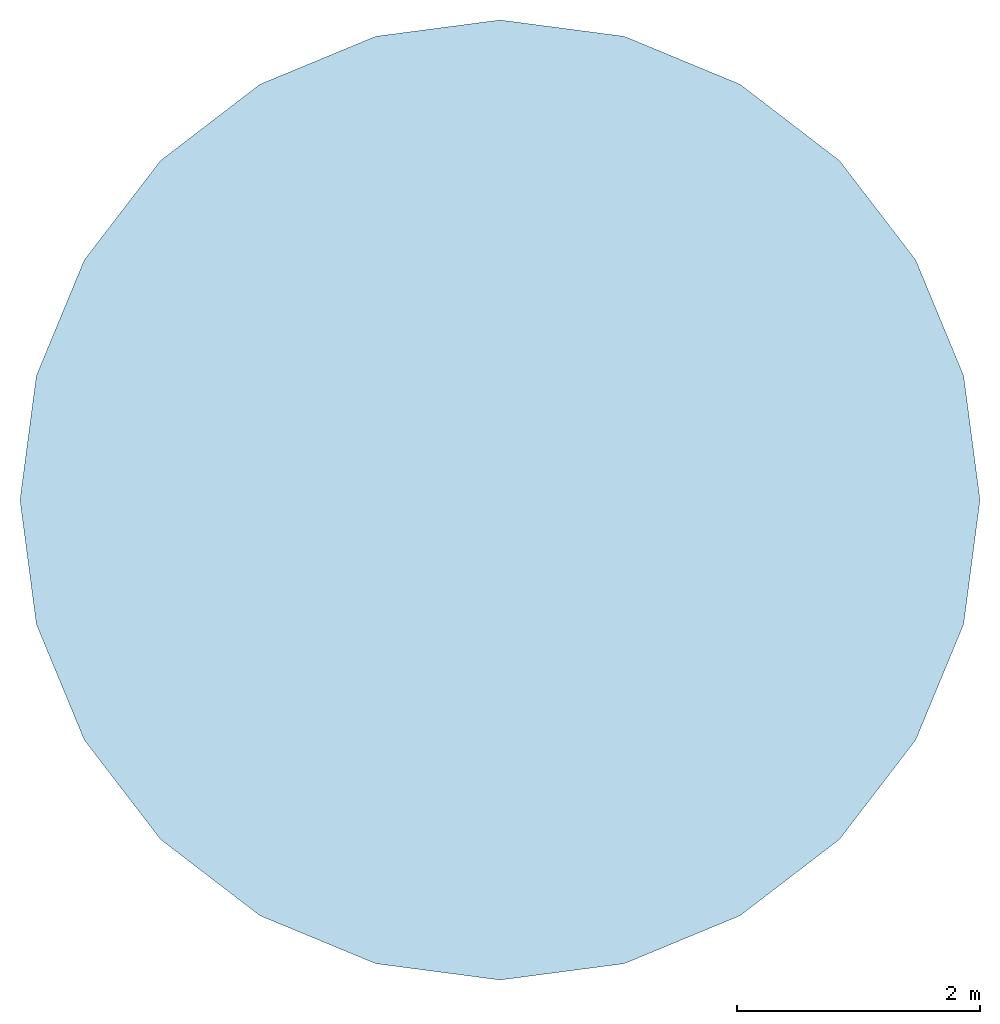
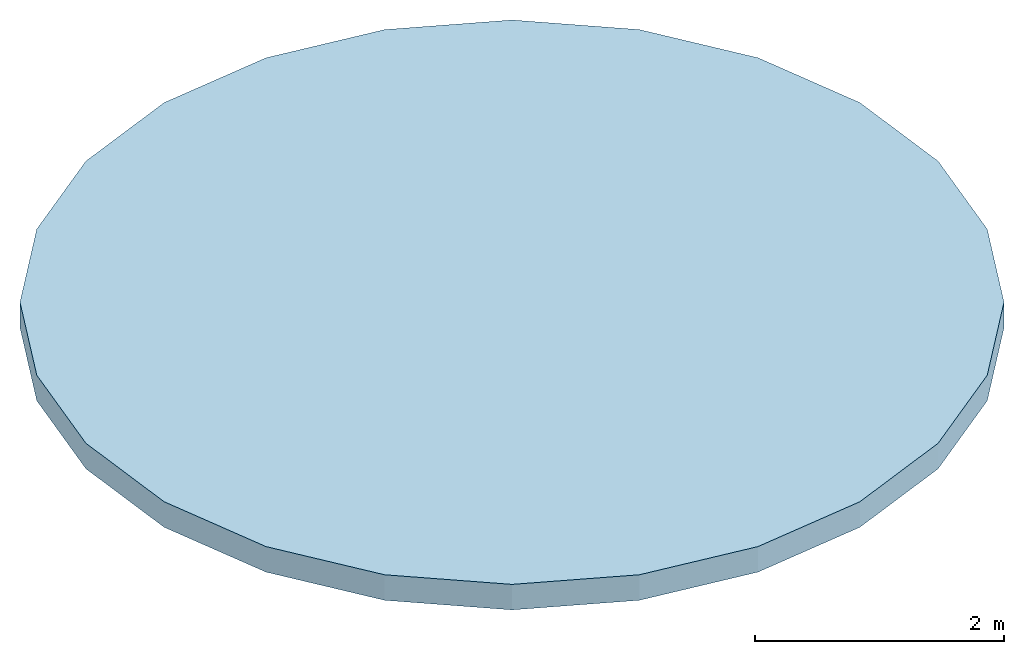
# One storey: 1 slab.
"""IFC4 building model written with IfcOpenShell, lengths in metres."""

import ifcopenshell
import ifcopenshell.guid

model = None  # the IFC model being written
_history = None  # IfcOwnerHistory: only IFC2X3 demands one
_inside = {}  # id of a spatial element -> (the spatial element, [elements in it])
_under = {}  # id of a project, library or spatial element -> (it, [spatial elements below it])
_declared = {}  # id of a project -> (the project, [libraries it declares])
_typed = {}  # id of a type object -> (the type object, [elements of that type])
_made_of = {}  # id of a material, layer set ... -> (it, [elements and type objects made of it])


def new_model(schema):
    """Start an empty IFC model of exactly this schema.

    Asked for "IFC4X3", IfcOpenShell would pick the latest addendum, in which some entities
    have other attributes; the version numbers below select the first issue.
    IFC2X3 requires an IfcOwnerHistory on every rooted entity: one is made here for all.
    """
    global model, _history
    if schema == "IFC4X3":
        model = ifcopenshell.file(schema_version=(4, 3, 0, 0))
    else:
        model = ifcopenshell.file(schema=schema)
    _inside.clear()
    _under.clear()
    _declared.clear()
    _typed.clear()
    _made_of.clear()
    _history = None
    if model.schema == "IFC2X3":
        org = make("IfcOrganization", Name="unknown")
        user = make(
            "IfcPersonAndOrganization",
            ThePerson=make("IfcPerson", FamilyName="unknown"),
            TheOrganization=org,
        )
        app = make(
            "IfcApplication",
            ApplicationDeveloper=org,
            Version="unknown",
            ApplicationFullName="unknown",
            ApplicationIdentifier="unknown",
        )
        _history = make(
            "IfcOwnerHistory",
            OwningUser=user,
            OwningApplication=app,
            ChangeAction="ADDED",
            CreationDate=0,
        )
    return model


def make(cls, **values):
    """One entity of the class cls with the attributes given. An attribute that is None is left unset."""
    return model.create_entity(
        cls, **{name: value for name, value in values.items() if value is not None}
    )


def rooted(cls, **values):
    """An entity with a GlobalId (a new one), such as an element, a storey or a relation."""
    return make(cls, GlobalId=ifcopenshell.guid.new(), OwnerHistory=_history, **values)


def si_unit(unit_type, name, prefix=None):
    """IfcSIUnit, for example si_unit("LENGTHUNIT", "METRE", prefix="MILLI")."""
    return make("IfcSIUnit", UnitType=unit_type, Prefix=prefix, Name=name)


def assignment(units):
    """IfcUnitAssignment: the units of a project."""
    return None if units is None else make("IfcUnitAssignment", Units=units)


def point(xyz):
    """IfcCartesianPoint."""
    return None if xyz is None else make("IfcCartesianPoint", Coordinates=xyz)


def direction(xyz):
    """IfcDirection."""
    return None if xyz is None else make("IfcDirection", DirectionRatios=xyz)


def frame(location, z_axis=None, x_axis=None):
    """IfcAxis2Placement3D, a coordinate frame: its origin and axes. An axis left out is left unset."""
    return make(
        "IfcAxis2Placement3D",
        Location=point(location),
        Axis=direction(z_axis),
        RefDirection=direction(x_axis),
    )


def origin():
    """The frame at (0, 0, 0) with its axes left unset."""
    return frame((0.0, 0.0, 0.0))


def place(relative_to, where):
    """IfcLocalPlacement: puts the frame where relative to a parent placement (None: the world)."""
    return make(
        "IfcLocalPlacement", PlacementRelTo=relative_to, RelativePlacement=where
    )


def context(
    kind, dimensions, precision=None, world=None, true_north=None, identifier=None
):
    """IfcGeometricRepresentationContext, for example the 3D "Model" context."""
    return make(
        "IfcGeometricRepresentationContext",
        ContextIdentifier=identifier,
        ContextType=kind,
        CoordinateSpaceDimension=dimensions,
        Precision=precision,
        WorldCoordinateSystem=world,
        TrueNorth=true_north,
    )


def subcontext(parent, identifier, kind, view, scale=None):
    """IfcGeometricRepresentationSubContext, for example "Body" below "Model"."""
    return make(
        "IfcGeometricRepresentationSubContext",
        ContextIdentifier=identifier,
        ContextType=kind,
        ParentContext=parent,
        TargetScale=scale,
        TargetView=view,
    )


def project(units=None, contexts=None):
    """IfcProject with its units and contexts."""
    return rooted(
        "IfcProject",
        Name="project",
        RepresentationContexts=contexts,
        UnitsInContext=assignment(units),
    )


def spatial(cls, under=None, at=None, **own):
    """A site, building, storey or space (cls), placed at a placement, below another one or the project."""
    s = rooted(cls, ObjectPlacement=at, **own)
    if under is not None:
        _under.setdefault(under.id(), (under, []))[1].append(s)
    return s


def point_list(points):
    """IfcCartesianPointList2D or 3D."""
    cls = (
        "IfcCartesianPointList2D" if len(points[0]) == 2 else "IfcCartesianPointList3D"
    )
    return make(cls, CoordList=points)


def line(*indices):
    """IfcLineIndex: a straight run through numbered points of an indexed curve."""
    return model.create_entity("IfcLineIndex", indices)


def indexed_curve(points, segments=None, self_intersect=None):
    """IfcIndexedPolyCurve: lines and arcs through numbered points (the first is 1)."""
    return make(
        "IfcIndexedPolyCurve",
        Points=point_list(points),
        Segments=segments,
        SelfIntersect=self_intersect,
    )


def outline(outer, holes=None, kind="AREA"):
    """IfcArbitraryClosedProfileDef: a profile drawn as a closed curve; with holes, ...WithVoids."""
    if holes is None:
        return make("IfcArbitraryClosedProfileDef", ProfileType=kind, OuterCurve=outer)
    return make(
        "IfcArbitraryProfileDefWithVoids",
        ProfileType=kind,
        OuterCurve=outer,
        InnerCurves=holes,
    )


def extrude(swept, where, along, depth):
    """IfcExtrudedAreaSolid: the profile swept, set in the frame where, extruded along a direction by depth."""
    return make(
        "IfcExtrudedAreaSolid",
        SweptArea=swept,
        Position=where,
        ExtrudedDirection=direction(along),
        Depth=depth,
    )


def shape(context_of_items, identifier, shape_type, items):
    """IfcShapeRepresentation: the items that make up one representation, for example the "Body"."""
    return make(
        "IfcShapeRepresentation",
        ContextOfItems=context_of_items,
        RepresentationIdentifier=identifier,
        RepresentationType=shape_type,
        Items=items,
    )


def material(Name=None, Category=None):
    """IfcMaterial."""
    return make("IfcMaterial", Name=Name, Category=Category)


def layer(
    of_material, thickness, ventilated=None, Name=None, Category=None, Priority=None
):
    """IfcMaterialLayer: one layer of a wall or slab, of a material (None: an air gap)."""
    return make(
        "IfcMaterialLayer",
        Material=of_material,
        LayerThickness=thickness,
        IsVentilated=ventilated,
        Name=Name,
        Category=Category,
        Priority=Priority,
    )


def layer_set(layers, Name=None):
    """IfcMaterialLayerSet."""
    return make("IfcMaterialLayerSet", MaterialLayers=layers, LayerSetName=Name)


def made_of(thing, what):
    """Note that an element or type object is made of a material, layer set ...; save() writes the relation."""
    if what is not None:
        _made_of.setdefault(what.id(), (what, []))[1].append(thing)
    return thing


def type_object(cls, material=None, **own):
    """A type object (cls), such as IfcWallType, which elements share."""
    return made_of(rooted(cls, **own), material)


def element(
    cls,
    number,
    at=None,
    inside=None,
    cuts=None,
    type_object=None,
    material=None,
    context=None,
    identifier="Body",
    shape_type=None,
    held_by="IfcProductDefinitionShape",
    body=None,
    shapes=None,
    **own,
):
    """One element of the class cls, such as IfcWall. Its Tag is "e" and its number.

    at: its placement. inside: the storey or other place that contains it. cuts: it is an
    opening in that element (IfcRelVoidsElement). A single representation is given by context,
    identifier, shape_type and body (its items); several are given by shapes. held_by: the class
    of the entity that holds the representations. save() writes the other relations.
    """
    e = rooted(cls, Tag="e%d" % number, ObjectPlacement=at, **own)
    if body is not None:
        shapes = [shape(context, identifier, shape_type, body)]
    if shapes is not None:
        e.Representation = make(held_by, Representations=shapes)
    if inside is not None:
        _inside.setdefault(inside.id(), (inside, []))[1].append(e)
    if cuts is not None:
        rooted(
            "IfcRelVoidsElement", RelatingBuildingElement=cuts, RelatedOpeningElement=e
        )
    if type_object is not None:
        _typed.setdefault(type_object.id(), (type_object, []))[1].append(e)
    return made_of(e, material)


def aggregate(whole, parts):
    """IfcRelAggregates: a whole, such as a stair, and the parts it consists of."""
    return rooted("IfcRelAggregates", RelatingObject=whole, RelatedObjects=parts)


def save(model, path):
    """Write the relations noted so far, then the file.

    IfcRelAggregates (storeys below a building ...), IfcRelContainedInSpatialStructure (elements
    in a storey), IfcRelDefinesByType, IfcRelAssociatesMaterial and IfcRelDeclares: one each for
    every whole, place, type object, material and project.
    """
    for whole, parts in _under.values():
        aggregate(whole, parts)
    for where, things in _inside.values():
        rooted(
            "IfcRelContainedInSpatialStructure",
            RelatedElements=things,
            RelatingStructure=where,
        )
    for kind, things in _typed.values():
        rooted("IfcRelDefinesByType", RelatedObjects=things, RelatingType=kind)
    for what, things in _made_of.values():
        rooted("IfcRelAssociatesMaterial", RelatedObjects=things, RelatingMaterial=what)
    for by, libraries in _declared.values():
        rooted("IfcRelDeclares", RelatingContext=by, RelatedDefinitions=libraries)
    model.write(path)


model = new_model("IFC4")

# Units and contexts
model_context = context("Model", 3, precision=1e-05, world=origin(), true_north=direction((0.0, 1.0)))
body_context = subcontext(model_context, "Body", "Model", "MODEL_VIEW")
ifc_project = project(units=[si_unit("LENGTHUNIT", "METRE"), si_unit("AREAUNIT", "SQUARE_METRE"), si_unit("VOLUMEUNIT", "CUBIC_METRE"), si_unit("PLANEANGLEUNIT", "RADIAN"), si_unit("MASSUNIT", "GRAM", prefix="KILO")], contexts=[model_context])

# Site, building, storey
site_placement = place(None, origin())
site = spatial("IfcSite", under=ifc_project, at=site_placement, CompositionType="ELEMENT")
building_placement = place(site_placement, origin())
building = spatial("IfcBuilding", under=site, at=building_placement, Name="Spindrift Exchange Tower", CompositionType="ELEMENT")
storey_placement = place(building_placement, frame((0.0, 0.0, 294.10009765625)))
storey = spatial("IfcBuildingStorey", under=building, at=storey_placement, Name="ROOF OVER PLANT DRUM", CompositionType="ELEMENT", Elevation=294.10009765625)

# Slab
ifc_material = material(Name="Concrete 40 MPa", Category="concrete")
ifc_layer = layer(ifc_material, 0.25)
ifc_layer_set = layer_set([ifc_layer], Name="RC Drum Roof Slab 250 Concrete 40 MPa")
slab_type = type_object("IfcSlabType", Name="RC Drum Roof Slab 250 Concrete 40 MPa", PredefinedType="ROOF", material=ifc_layer_set)
slab_placement = place(storey_placement, frame((0.0, 0.0, -0.25)))
element("IfcSlab", 1, at=slab_placement, inside=storey, type_object=slab_type, Name="Plant drum roof slab", PredefinedType="ROOF", context=body_context, shape_type="SweptSolid", body=[
    extrude(outline(indexed_curve([(55.949951171875, 48.0), (55.8154296875, 49.022216796875), (55.4208984375, 49.97509765625), (54.793212890625, 50.793212890625), (53.97509765625, 51.4208984375), (53.022216796875, 51.8154296875), (52.0, 51.949951171875), (50.977783203125, 51.8154296875), (50.02490234375, 51.4208984375), (49.206787109375, 50.793212890625), (48.5791015625, 49.97509765625), (48.1845703125, 49.022216796875), (48.050048828125, 48.0), (48.1845703125, 46.977783203125), (48.5791015625, 46.02490234375), (49.206787109375, 45.206787109375), (50.02490234375, 44.5791015625), (50.977783203125, 44.1845703125), (52.0, 44.050048828125), (53.022216796875, 44.1845703125), (53.97509765625, 44.5791015625), (54.793212890625, 45.206787109375), (55.4208984375, 46.02490234375), (55.8154296875, 46.977783203125)], segments=[line(1, 2, 3, 4, 5, 6, 7, 8, 9, 10, 11, 12, 13, 14, 15, 16, 17, 18, 19, 20, 21, 22, 23, 24, 1)], self_intersect=False)), origin(), (0.0, 0.0, 1.0), 0.25),
])

save(model, "model.ifc")
